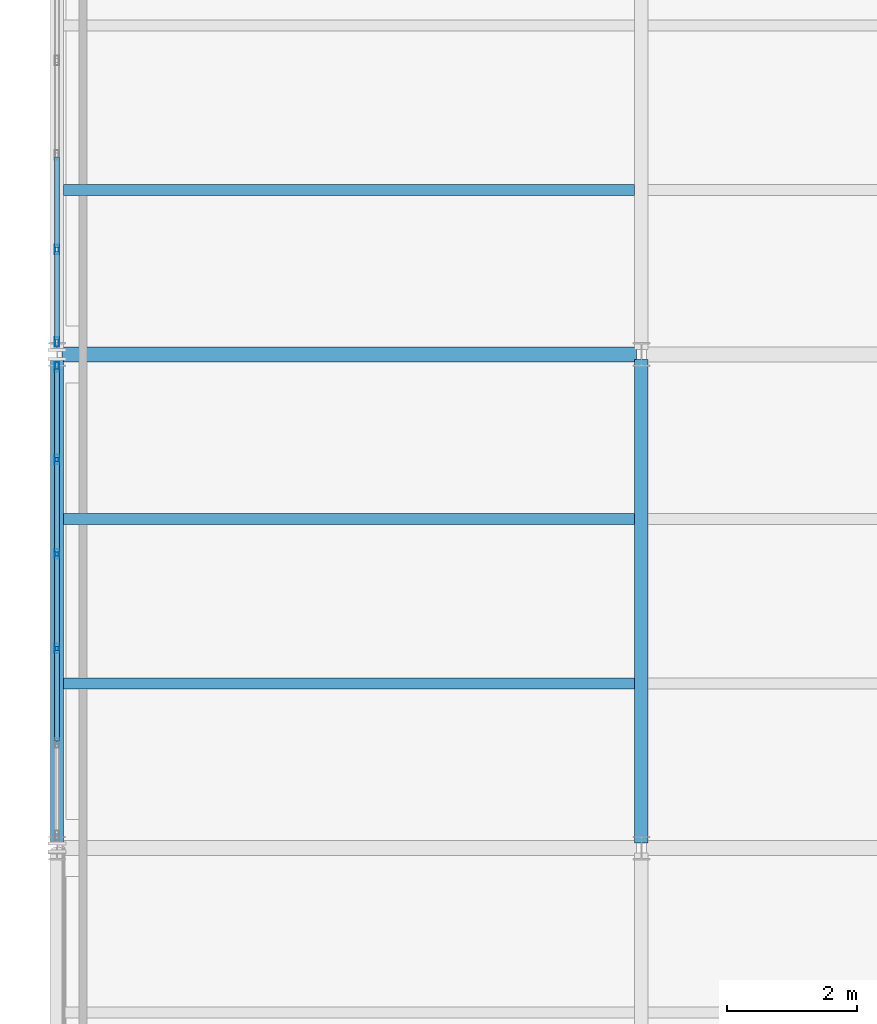
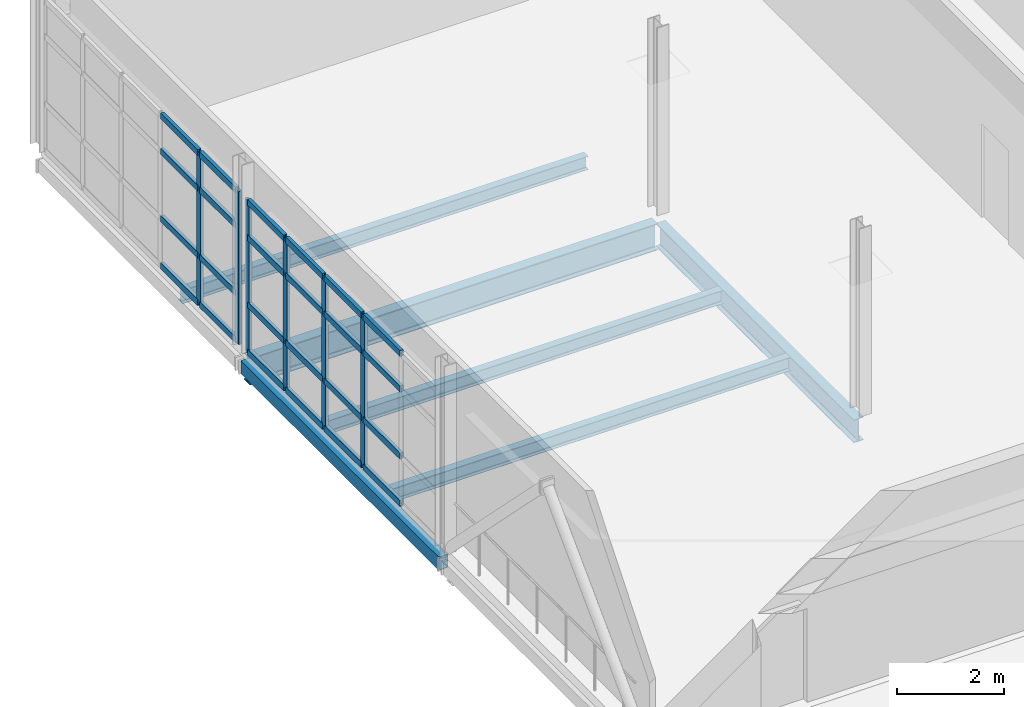
# One storey, part 40 of 174: 30 members, 6 beams, 2 elements without a shape of their own.
"""IFC4 building model written with IfcOpenShell, lengths in metres."""

from ifc_helpers import new_model, si_unit, direction, frame, origin, origin_2d, place, context, subcontext, project, spatial, hollow_rectangle, i_section, extrude, material, material_profile, profile_set, type_object, element, aggregate, save


model = new_model("IFC4")

# Units and contexts
model_context = context("Model", 3, precision=1e-05, world=origin(), true_north=direction((0.0, 1.0)))
body_context = subcontext(model_context, "Body", "Model", "MODEL_VIEW")
ifc_project = project(units=[si_unit("LENGTHUNIT", "METRE"), si_unit("AREAUNIT", "SQUARE_METRE"), si_unit("VOLUMEUNIT", "CUBIC_METRE"), si_unit("PLANEANGLEUNIT", "RADIAN"), si_unit("MASSUNIT", "GRAM", prefix="KILO")], contexts=[model_context])

# Site, building, storey
site_placement = place(None, origin())
site = spatial("IfcSite", under=ifc_project, at=site_placement, CompositionType="ELEMENT")
building_placement = place(site_placement, origin())
building = spatial("IfcBuilding", under=site, at=building_placement, Name="Caisbarro Railhouse Central Library", CompositionType="ELEMENT")
storey_placement = place(building_placement, frame((0.0, 0.0, 5.0400390625)))
storey = spatial("IfcBuildingStorey", under=building, at=storey_placement, Name="L01", CompositionType="ELEMENT", Elevation=5.0400390625)

# Beams
ifc_material_1 = material(Name="Steel ASTM A572 Grade 50", Category="steel")
ifc_material_profile_1 = material_profile(ifc_material_1, i_section(OverallWidth=0.22802734375, OverallDepth=0.60791015625, WebThickness=0.01123046875, FlangeThickness=0.017333984375, FilletRadius=0.02197265625, at=origin_2d()), Name="W610X113.0")
ifc_profile_set_1 = profile_set([ifc_material_profile_1], Name="Steel ASTM A572 Grade 50")
beam_type_1 = type_object("IfcBeamType", Name="BM-G04", PredefinedType="BEAM", material=ifc_profile_set_1)
beam_1_placement = place(storey_placement, frame((0.080078125, 53.199951171875, -0.52392578125), z_axis=(1.0, 0.0, 0.0), x_axis=(0.0, 1.0, 0.0)))
element("IfcBeam", 1, at=beam_1_placement, inside=storey, type_object=beam_type_1, Name="G04 beam L01 #809", PredefinedType="BEAM", context=body_context, shape_type="SweptSolid", body=[
    extrude(i_section(OverallWidth=0.22802734375, OverallDepth=0.60791015625, WebThickness=0.01123046875, FlangeThickness=0.017333984375, FilletRadius=0.02197265625, at=origin_2d()), origin(), (0.0, 0.0, 1.0), 8.83984375),
])
ifc_material_profile_2 = material_profile(ifc_material_1, i_section(OverallWidth=0.208984375, OverallDepth=0.532958984375, WebThickness=0.01025390625, FlangeThickness=0.015625, FilletRadius=0.02001953125, at=origin_2d()), Name="W530X92.0")
ifc_profile_set_2 = profile_set([ifc_material_profile_2], Name="Steel ASTM A572 Grade 50")
beam_type_2 = type_object("IfcBeamType", Name="BM-G06", PredefinedType="BEAM", material=ifc_profile_set_2)
beam_2_placement = place(storey_placement, frame((9.0, 45.679931640625, -0.486572265625), z_axis=(0.0, 1.0, 0.0), x_axis=(-1.0, 0.0, 0.0)))
element("IfcBeam", 2, at=beam_2_placement, inside=storey, type_object=beam_type_2, Name="G06 beam L01 #831", PredefinedType="BEAM", context=body_context, shape_type="SweptSolid", body=[
    extrude(i_section(OverallWidth=0.208984375, OverallDepth=0.532958984375, WebThickness=0.01025390625, FlangeThickness=0.015625, FilletRadius=0.02001953125, at=origin_2d()), origin(), (0.0, 0.0, 1.0), 7.440185546875),
])
ifc_material_profile_3 = material_profile(ifc_material_1, i_section(OverallWidth=0.1650390625, OverallDepth=0.31005859375, WebThickness=0.005859375, FlangeThickness=0.009765625, FilletRadius=0.011962890625, at=origin_2d()), Name="W310X38.7")
ifc_profile_set_3 = profile_set([ifc_material_profile_3], Name="Steel ASTM A572 Grade 50")
beam_type_3 = type_object("IfcBeamType", Name="BM-J03", PredefinedType="JOIST", material=ifc_profile_set_3)
for number, where, z_axis, x_axis, name in (
    (3, (0.10009765625, 48.13330078125, -0.375), (1.0, 0.0, 0.0), (0.0, 1.0, 0.0), "J03 beam L01 #859"),
    (4, (0.10009765625, 50.666748046875, -0.375), (1.0, 0.0, 0.0), (0.0, 1.0, 0.0), "J03 beam L01 #860"),
    (5, (0.10009765625, 55.7333984375, -0.375), (1.0, 0.0, 0.0), (0.0, 1.0, 0.0), "J03 beam L01 #861"),
):
    element("IfcBeam", number, at=place(storey_placement, frame(where, z_axis=z_axis, x_axis=x_axis)), inside=storey, type_object=beam_type_3, Name=name, PredefinedType="JOIST", context=body_context, shape_type="SweptSolid", body=[
        extrude(i_section(OverallWidth=0.1650390625, OverallDepth=0.31005859375, WebThickness=0.005859375, FlangeThickness=0.009765625, FilletRadius=0.011962890625, at=origin_2d()), origin(), (0.0, 0.0, 1.0), 8.79541015625),
    ])
ifc_material_profile_4 = material_profile(ifc_material_1, hollow_rectangle(XDim=0.199951171875, YDim=0.300048828125, WallThickness=0.012451171875, at=origin_2d()), Name="HSS300X200X12.5")
ifc_profile_set_4 = profile_set([ifc_material_profile_4], Name="Steel ASTM A572 Grade 50")
beam_type_4 = type_object("IfcBeamType", Name="BM-SP02", PredefinedType="SPANDREL", material=ifc_profile_set_4)
beam_3_placement = place(storey_placement, frame((0.0, 45.679931640625, -0.3701171875), z_axis=(0.0, 1.0, 0.0), x_axis=(-1.0, 0.0, 0.0)))
element("IfcBeam", 6, at=beam_3_placement, inside=storey, type_object=beam_type_4, Name="SP02 beam L01 #827", PredefinedType="SPANDREL", context=body_context, shape_type="SweptSolid", body=[
    extrude(hollow_rectangle(XDim=0.199951171875, YDim=0.300048828125, WallThickness=0.012451171875, at=origin_2d()), origin(), (0.0, 0.0, 1.0), 7.440185546875),
])

# Curtain wall, members
ifc_material_2 = material(Name="Anodised architectural aluminium", Category="aluminium")
curtain_wall_type = type_object("IfcCurtainWallType", Name="CW-CW02", PredefinedType="NOTDEFINED", material=ifc_material_2)
curtain_wall_1_placement = place(storey_placement, origin())
curtain_wall_1 = element("IfcCurtainWall", 7, at=curtain_wall_1_placement, inside=storey, type_object=curtain_wall_type, Name="CW02 curtain wall L01 #28", PredefinedType="NOTDEFINED")
ifc_material_profile_5 = material_profile(ifc_material_2, hollow_rectangle(XDim=0.06494140625, YDim=0.14990234375, WallThickness=0.00390625, at=origin_2d()), Name="ALU-MUL-65X150")
ifc_profile_set_5 = profile_set([ifc_material_profile_5], Name="Anodised architectural aluminium")
member_type_1 = type_object("IfcMemberType", Name="CWM-M02", PredefinedType="MULLION", material=ifc_profile_set_5)
member_1_placement = place(storey_placement, frame((0.0, 48.672119140625, 0.0), z_axis=(0.0, 0.0, 1.0), x_axis=(-1.0, 0.0, 0.0)))
member_1 = element("IfcMember", 8, at=member_1_placement, type_object=member_type_1, Name="CW02 mullion 3", PredefinedType="MULLION", context=body_context, shape_type="SweptSolid", body=[
    extrude(hollow_rectangle(XDim=0.06494140625, YDim=0.14990234375, WallThickness=0.00390625, at=origin_2d()), origin(), (0.0, 0.0, 1.0), 3.510009765625),
])
member_2_placement = place(storey_placement, frame((0.0, 50.1279296875, 0.0), z_axis=(0.0, 0.0, 1.0), x_axis=(-1.0, 0.0, 0.0)))
member_2 = element("IfcMember", 9, at=member_2_placement, type_object=member_type_1, Name="CW02 mullion 4", PredefinedType="MULLION", context=body_context, shape_type="SweptSolid", body=[
    extrude(hollow_rectangle(XDim=0.06494140625, YDim=0.14990234375, WallThickness=0.00390625, at=origin_2d()), origin(), (0.0, 0.0, 1.0), 3.510009765625),
])
member_3_placement = place(storey_placement, frame((0.0, 51.583984375, 0.0), z_axis=(0.0, 0.0, 1.0), x_axis=(-1.0, 0.0, 0.0)))
member_3 = element("IfcMember", 10, at=member_3_placement, type_object=member_type_1, Name="CW02 mullion 5", PredefinedType="MULLION", context=body_context, shape_type="SweptSolid", body=[
    extrude(hollow_rectangle(XDim=0.06494140625, YDim=0.14990234375, WallThickness=0.00390625, at=origin_2d()), origin(), (0.0, 0.0, 1.0), 3.510009765625),
])
member_4_placement = place(storey_placement, frame((0.0, 53.007568359375, 0.0), z_axis=(0.0, 0.0, 1.0), x_axis=(-1.0, 0.0, 0.0)))
member_4 = element("IfcMember", 11, at=member_4_placement, type_object=member_type_1, Name="CW02 mullion 6", PredefinedType="MULLION", context=body_context, shape_type="SweptSolid", body=[
    extrude(hollow_rectangle(XDim=0.06494140625, YDim=0.14990234375, WallThickness=0.00390625, at=origin_2d()), origin(), (0.0, 0.0, 1.0), 3.510009765625),
])

curtain_wall_2_placement = place(storey_placement, origin())
curtain_wall_2 = element("IfcCurtainWall", 12, at=curtain_wall_2_placement, inside=storey, type_object=curtain_wall_type, Name="CW02 curtain wall L01 #29", PredefinedType="NOTDEFINED")
member_5_placement = place(storey_placement, frame((0.0, 53.392578125, 0.0), z_axis=(0.0, 0.0, 1.0), x_axis=(-1.0, 0.0, 0.0)))
member_5 = element("IfcMember", 13, at=member_5_placement, type_object=member_type_1, Name="CW02 mullion 1", PredefinedType="MULLION", context=body_context, shape_type="SweptSolid", body=[
    extrude(hollow_rectangle(XDim=0.06494140625, YDim=0.14990234375, WallThickness=0.00390625, at=origin_2d()), origin(), (0.0, 0.0, 1.0), 3.510009765625),
])
member_6_placement = place(storey_placement, frame((0.0, 54.81591796875, 0.0), z_axis=(0.0, 0.0, 1.0), x_axis=(-1.0, 0.0, 0.0)))
member_6 = element("IfcMember", 14, at=member_6_placement, type_object=member_type_1, Name="CW02 mullion 2", PredefinedType="MULLION", context=body_context, shape_type="SweptSolid", body=[
    extrude(hollow_rectangle(XDim=0.06494140625, YDim=0.14990234375, WallThickness=0.00390625, at=origin_2d()), origin(), (0.0, 0.0, 1.0), 3.510009765625),
])

# Member
ifc_material_profile_6 = material_profile(ifc_material_2, hollow_rectangle(XDim=0.074951171875, YDim=0.139892578125, WallThickness=0.00390625, at=origin_2d()), Name="ALU-TRN-75X140")
ifc_profile_set_6 = profile_set([ifc_material_profile_6], Name="Anodised architectural aluminium")
member_type_2 = type_object("IfcMemberType", Name="CWT-T01", PredefinedType="USERDEFINED", material=ifc_profile_set_6)
member_7_placement = place(storey_placement, frame((0.0, 47.24853515625, 0.037353515625), z_axis=(0.0, 1.0, 0.0), x_axis=(-1.0, 0.0, 0.0)))
member_7 = element("IfcMember", 15, at=member_7_placement, type_object=member_type_2, Name="CW02 transom 2.1", ObjectType="TRANSOM", PredefinedType="USERDEFINED", context=body_context, shape_type="SweptSolid", body=[
    extrude(hollow_rectangle(XDim=0.074951171875, YDim=0.139892578125, WallThickness=0.00390625, at=origin_2d()), origin(), (0.0, 0.0, 1.0), 1.390869140625),
])

member_8_placement = place(storey_placement, frame((0.0, 47.24853515625, 1.119873046875), z_axis=(0.0, 1.0, 0.0), x_axis=(-1.0, 0.0, 0.0)))
member_8 = element("IfcMember", 16, at=member_8_placement, type_object=member_type_2, Name="CW02 transom 2.2", ObjectType="TRANSOM", PredefinedType="USERDEFINED", context=body_context, shape_type="SweptSolid", body=[
    extrude(hollow_rectangle(XDim=0.074951171875, YDim=0.139892578125, WallThickness=0.00390625, at=origin_2d()), origin(), (0.0, 0.0, 1.0), 1.390869140625),
])

member_9_placement = place(storey_placement, frame((0.0, 47.24853515625, 2.659912109375), z_axis=(0.0, 1.0, 0.0), x_axis=(-1.0, 0.0, 0.0)))
member_9 = element("IfcMember", 17, at=member_9_placement, type_object=member_type_2, Name="CW02 transom 2.3", ObjectType="TRANSOM", PredefinedType="USERDEFINED", context=body_context, shape_type="SweptSolid", body=[
    extrude(hollow_rectangle(XDim=0.074951171875, YDim=0.139892578125, WallThickness=0.00390625, at=origin_2d()), origin(), (0.0, 0.0, 1.0), 1.390869140625),
])

member_10_placement = place(storey_placement, frame((0.0, 47.24853515625, 3.472412109375), z_axis=(0.0, 1.0, 0.0), x_axis=(-1.0, 0.0, 0.0)))
member_10 = element("IfcMember", 18, at=member_10_placement, type_object=member_type_2, Name="CW02 transom 2.4", ObjectType="TRANSOM", PredefinedType="USERDEFINED", context=body_context, shape_type="SweptSolid", body=[
    extrude(hollow_rectangle(XDim=0.074951171875, YDim=0.139892578125, WallThickness=0.00390625, at=origin_2d()), origin(), (0.0, 0.0, 1.0), 1.390869140625),
])

member_11_placement = place(storey_placement, frame((0.0, 48.70458984375, 0.037353515625), z_axis=(0.0, 1.0, 0.0), x_axis=(-1.0, 0.0, 0.0)))
member_11 = element("IfcMember", 19, at=member_11_placement, type_object=member_type_2, Name="CW02 transom 3.1", ObjectType="TRANSOM", PredefinedType="USERDEFINED", context=body_context, shape_type="SweptSolid", body=[
    extrude(hollow_rectangle(XDim=0.074951171875, YDim=0.139892578125, WallThickness=0.00390625, at=origin_2d()), origin(), (0.0, 0.0, 1.0), 1.390869140625),
])

member_12_placement = place(storey_placement, frame((0.0, 48.70458984375, 1.119873046875), z_axis=(0.0, 1.0, 0.0), x_axis=(-1.0, 0.0, 0.0)))
member_12 = element("IfcMember", 20, at=member_12_placement, type_object=member_type_2, Name="CW02 transom 3.2", ObjectType="TRANSOM", PredefinedType="USERDEFINED", context=body_context, shape_type="SweptSolid", body=[
    extrude(hollow_rectangle(XDim=0.074951171875, YDim=0.139892578125, WallThickness=0.00390625, at=origin_2d()), origin(), (0.0, 0.0, 1.0), 1.390869140625),
])

member_13_placement = place(storey_placement, frame((0.0, 48.70458984375, 2.659912109375), z_axis=(0.0, 1.0, 0.0), x_axis=(-1.0, 0.0, 0.0)))
member_13 = element("IfcMember", 21, at=member_13_placement, type_object=member_type_2, Name="CW02 transom 3.3", ObjectType="TRANSOM", PredefinedType="USERDEFINED", context=body_context, shape_type="SweptSolid", body=[
    extrude(hollow_rectangle(XDim=0.074951171875, YDim=0.139892578125, WallThickness=0.00390625, at=origin_2d()), origin(), (0.0, 0.0, 1.0), 1.390869140625),
])

member_14_placement = place(storey_placement, frame((0.0, 48.70458984375, 3.472412109375), z_axis=(0.0, 1.0, 0.0), x_axis=(-1.0, 0.0, 0.0)))
member_14 = element("IfcMember", 22, at=member_14_placement, type_object=member_type_2, Name="CW02 transom 3.4", ObjectType="TRANSOM", PredefinedType="USERDEFINED", context=body_context, shape_type="SweptSolid", body=[
    extrude(hollow_rectangle(XDim=0.074951171875, YDim=0.139892578125, WallThickness=0.00390625, at=origin_2d()), origin(), (0.0, 0.0, 1.0), 1.390869140625),
])

member_15_placement = place(storey_placement, frame((0.0, 50.160400390625, 0.037353515625), z_axis=(0.0, 1.0, 0.0), x_axis=(-1.0, 0.0, 0.0)))
member_15 = element("IfcMember", 23, at=member_15_placement, type_object=member_type_2, Name="CW02 transom 4.1", ObjectType="TRANSOM", PredefinedType="USERDEFINED", context=body_context, shape_type="SweptSolid", body=[
    extrude(hollow_rectangle(XDim=0.074951171875, YDim=0.139892578125, WallThickness=0.00390625, at=origin_2d()), origin(), (0.0, 0.0, 1.0), 1.39111328125),
])

member_16_placement = place(storey_placement, frame((0.0, 50.160400390625, 1.119873046875), z_axis=(0.0, 1.0, 0.0), x_axis=(-1.0, 0.0, 0.0)))
member_16 = element("IfcMember", 24, at=member_16_placement, type_object=member_type_2, Name="CW02 transom 4.2", ObjectType="TRANSOM", PredefinedType="USERDEFINED", context=body_context, shape_type="SweptSolid", body=[
    extrude(hollow_rectangle(XDim=0.074951171875, YDim=0.139892578125, WallThickness=0.00390625, at=origin_2d()), origin(), (0.0, 0.0, 1.0), 1.39111328125),
])

member_17_placement = place(storey_placement, frame((0.0, 50.160400390625, 2.659912109375), z_axis=(0.0, 1.0, 0.0), x_axis=(-1.0, 0.0, 0.0)))
member_17 = element("IfcMember", 25, at=member_17_placement, type_object=member_type_2, Name="CW02 transom 4.3", ObjectType="TRANSOM", PredefinedType="USERDEFINED", context=body_context, shape_type="SweptSolid", body=[
    extrude(hollow_rectangle(XDim=0.074951171875, YDim=0.139892578125, WallThickness=0.00390625, at=origin_2d()), origin(), (0.0, 0.0, 1.0), 1.39111328125),
])

member_18_placement = place(storey_placement, frame((0.0, 50.160400390625, 3.472412109375), z_axis=(0.0, 1.0, 0.0), x_axis=(-1.0, 0.0, 0.0)))
member_18 = element("IfcMember", 26, at=member_18_placement, type_object=member_type_2, Name="CW02 transom 4.4", ObjectType="TRANSOM", PredefinedType="USERDEFINED", context=body_context, shape_type="SweptSolid", body=[
    extrude(hollow_rectangle(XDim=0.074951171875, YDim=0.139892578125, WallThickness=0.00390625, at=origin_2d()), origin(), (0.0, 0.0, 1.0), 1.39111328125),
])

member_19_placement = place(storey_placement, frame((0.0, 51.616455078125, 0.037353515625), z_axis=(0.0, 1.0, 0.0), x_axis=(-1.0, 0.0, 0.0)))
member_19 = element("IfcMember", 27, at=member_19_placement, type_object=member_type_2, Name="CW02 transom 5.1", ObjectType="TRANSOM", PredefinedType="USERDEFINED", context=body_context, shape_type="SweptSolid", body=[
    extrude(hollow_rectangle(XDim=0.074951171875, YDim=0.139892578125, WallThickness=0.00390625, at=origin_2d()), origin(), (0.0, 0.0, 1.0), 1.358642578125),
])

member_20_placement = place(storey_placement, frame((0.0, 51.616455078125, 1.119873046875), z_axis=(0.0, 1.0, 0.0), x_axis=(-1.0, 0.0, 0.0)))
member_20 = element("IfcMember", 28, at=member_20_placement, type_object=member_type_2, Name="CW02 transom 5.2", ObjectType="TRANSOM", PredefinedType="USERDEFINED", context=body_context, shape_type="SweptSolid", body=[
    extrude(hollow_rectangle(XDim=0.074951171875, YDim=0.139892578125, WallThickness=0.00390625, at=origin_2d()), origin(), (0.0, 0.0, 1.0), 1.358642578125),
])

member_21_placement = place(storey_placement, frame((0.0, 51.616455078125, 2.659912109375), z_axis=(0.0, 1.0, 0.0), x_axis=(-1.0, 0.0, 0.0)))
member_21 = element("IfcMember", 29, at=member_21_placement, type_object=member_type_2, Name="CW02 transom 5.3", ObjectType="TRANSOM", PredefinedType="USERDEFINED", context=body_context, shape_type="SweptSolid", body=[
    extrude(hollow_rectangle(XDim=0.074951171875, YDim=0.139892578125, WallThickness=0.00390625, at=origin_2d()), origin(), (0.0, 0.0, 1.0), 1.358642578125),
])

member_22_placement = place(storey_placement, frame((0.0, 51.616455078125, 3.472412109375), z_axis=(0.0, 1.0, 0.0), x_axis=(-1.0, 0.0, 0.0)))
member_22 = element("IfcMember", 30, at=member_22_placement, type_object=member_type_2, Name="CW02 transom 5.4", ObjectType="TRANSOM", PredefinedType="USERDEFINED", context=body_context, shape_type="SweptSolid", body=[
    extrude(hollow_rectangle(XDim=0.074951171875, YDim=0.139892578125, WallThickness=0.00390625, at=origin_2d()), origin(), (0.0, 0.0, 1.0), 1.358642578125),
])

aggregate(curtain_wall_1, [member_1, member_2, member_3, member_4, member_7, member_8, member_9, member_10, member_11, member_12, member_13, member_14, member_15, member_16, member_17, member_18, member_19, member_20, member_21, member_22])

member_23_placement = place(storey_placement, frame((0.0, 53.425048828125, 0.037353515625), z_axis=(0.0, 1.0, 0.0), x_axis=(-1.0, 0.0, 0.0)))
member_23 = element("IfcMember", 31, at=member_23_placement, type_object=member_type_2, Name="CW02 transom 1.1", ObjectType="TRANSOM", PredefinedType="USERDEFINED", context=body_context, shape_type="SweptSolid", body=[
    extrude(hollow_rectangle(XDim=0.074951171875, YDim=0.139892578125, WallThickness=0.00390625, at=origin_2d()), origin(), (0.0, 0.0, 1.0), 1.3583984375),
])

member_24_placement = place(storey_placement, frame((0.0, 53.425048828125, 1.119873046875), z_axis=(0.0, 1.0, 0.0), x_axis=(-1.0, 0.0, 0.0)))
member_24 = element("IfcMember", 32, at=member_24_placement, type_object=member_type_2, Name="CW02 transom 1.2", ObjectType="TRANSOM", PredefinedType="USERDEFINED", context=body_context, shape_type="SweptSolid", body=[
    extrude(hollow_rectangle(XDim=0.074951171875, YDim=0.139892578125, WallThickness=0.00390625, at=origin_2d()), origin(), (0.0, 0.0, 1.0), 1.3583984375),
])

member_25_placement = place(storey_placement, frame((0.0, 53.425048828125, 2.659912109375), z_axis=(0.0, 1.0, 0.0), x_axis=(-1.0, 0.0, 0.0)))
member_25 = element("IfcMember", 33, at=member_25_placement, type_object=member_type_2, Name="CW02 transom 1.3", ObjectType="TRANSOM", PredefinedType="USERDEFINED", context=body_context, shape_type="SweptSolid", body=[
    extrude(hollow_rectangle(XDim=0.074951171875, YDim=0.139892578125, WallThickness=0.00390625, at=origin_2d()), origin(), (0.0, 0.0, 1.0), 1.3583984375),
])

member_26_placement = place(storey_placement, frame((0.0, 53.425048828125, 3.472412109375), z_axis=(0.0, 1.0, 0.0), x_axis=(-1.0, 0.0, 0.0)))
member_26 = element("IfcMember", 34, at=member_26_placement, type_object=member_type_2, Name="CW02 transom 1.4", ObjectType="TRANSOM", PredefinedType="USERDEFINED", context=body_context, shape_type="SweptSolid", body=[
    extrude(hollow_rectangle(XDim=0.074951171875, YDim=0.139892578125, WallThickness=0.00390625, at=origin_2d()), origin(), (0.0, 0.0, 1.0), 1.3583984375),
])

member_27_placement = place(storey_placement, frame((0.0, 54.848388671875, 0.037353515625), z_axis=(0.0, 1.0, 0.0), x_axis=(-1.0, 0.0, 0.0)))
member_27 = element("IfcMember", 35, at=member_27_placement, type_object=member_type_2, Name="CW02 transom 2.1", ObjectType="TRANSOM", PredefinedType="USERDEFINED", context=body_context, shape_type="SweptSolid", body=[
    extrude(hollow_rectangle(XDim=0.074951171875, YDim=0.139892578125, WallThickness=0.00390625, at=origin_2d()), origin(), (0.0, 0.0, 1.0), 1.39111328125),
])

member_28_placement = place(storey_placement, frame((0.0, 54.848388671875, 1.119873046875), z_axis=(0.0, 1.0, 0.0), x_axis=(-1.0, 0.0, 0.0)))
member_28 = element("IfcMember", 36, at=member_28_placement, type_object=member_type_2, Name="CW02 transom 2.2", ObjectType="TRANSOM", PredefinedType="USERDEFINED", context=body_context, shape_type="SweptSolid", body=[
    extrude(hollow_rectangle(XDim=0.074951171875, YDim=0.139892578125, WallThickness=0.00390625, at=origin_2d()), origin(), (0.0, 0.0, 1.0), 1.39111328125),
])

member_29_placement = place(storey_placement, frame((0.0, 54.848388671875, 2.659912109375), z_axis=(0.0, 1.0, 0.0), x_axis=(-1.0, 0.0, 0.0)))
member_29 = element("IfcMember", 37, at=member_29_placement, type_object=member_type_2, Name="CW02 transom 2.3", ObjectType="TRANSOM", PredefinedType="USERDEFINED", context=body_context, shape_type="SweptSolid", body=[
    extrude(hollow_rectangle(XDim=0.074951171875, YDim=0.139892578125, WallThickness=0.00390625, at=origin_2d()), origin(), (0.0, 0.0, 1.0), 1.39111328125),
])

member_30_placement = place(storey_placement, frame((0.0, 54.848388671875, 3.472412109375), z_axis=(0.0, 1.0, 0.0), x_axis=(-1.0, 0.0, 0.0)))
member_30 = element("IfcMember", 38, at=member_30_placement, type_object=member_type_2, Name="CW02 transom 2.4", ObjectType="TRANSOM", PredefinedType="USERDEFINED", context=body_context, shape_type="SweptSolid", body=[
    extrude(hollow_rectangle(XDim=0.074951171875, YDim=0.139892578125, WallThickness=0.00390625, at=origin_2d()), origin(), (0.0, 0.0, 1.0), 1.39111328125),
])

aggregate(curtain_wall_2, [member_5, member_6, member_23, member_24, member_25, member_26, member_27, member_28, member_29, member_30])

save(model, "model.ifc")
